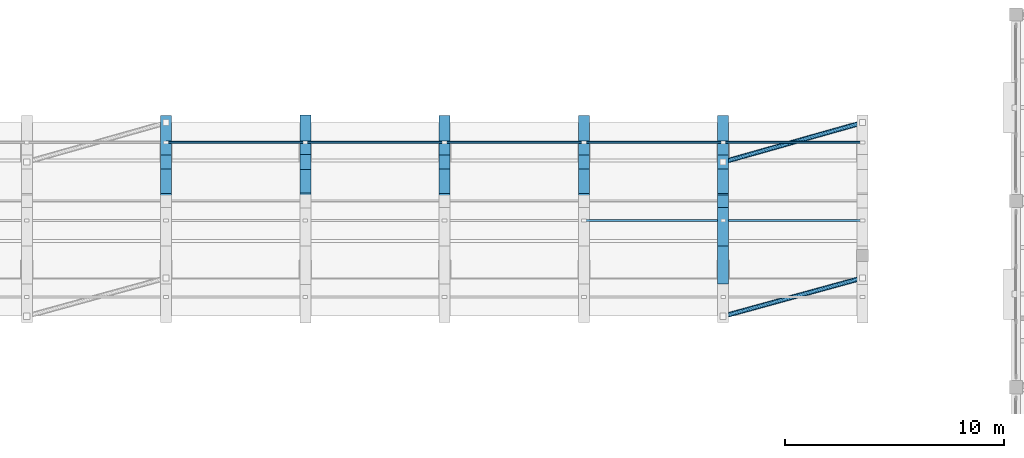
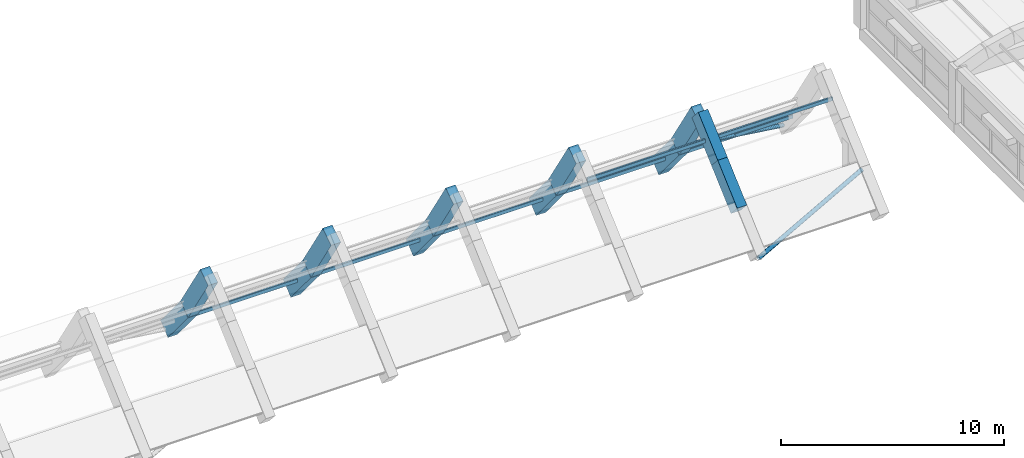
# One storey, part 7 of 40: 21 members.
"""IFC4 building model written with IfcOpenShell, lengths in metres."""

import ifcopenshell
import ifcopenshell.guid

model = None  # the IFC model being written
_history = None  # IfcOwnerHistory: only IFC2X3 demands one
_inside = {}  # id of a spatial element -> (the spatial element, [elements in it])
_under = {}  # id of a project, library or spatial element -> (it, [spatial elements below it])
_declared = {}  # id of a project -> (the project, [libraries it declares])
_typed = {}  # id of a type object -> (the type object, [elements of that type])
_made_of = {}  # id of a material, layer set ... -> (it, [elements and type objects made of it])


def new_model(schema):
    """Start an empty IFC model of exactly this schema.

    Asked for "IFC4X3", IfcOpenShell would pick the latest addendum, in which some entities
    have other attributes; the version numbers below select the first issue.
    IFC2X3 requires an IfcOwnerHistory on every rooted entity: one is made here for all.
    """
    global model, _history
    if schema == "IFC4X3":
        model = ifcopenshell.file(schema_version=(4, 3, 0, 0))
    else:
        model = ifcopenshell.file(schema=schema)
    _inside.clear()
    _under.clear()
    _declared.clear()
    _typed.clear()
    _made_of.clear()
    _history = None
    if model.schema == "IFC2X3":
        org = make("IfcOrganization", Name="unknown")
        user = make(
            "IfcPersonAndOrganization",
            ThePerson=make("IfcPerson", FamilyName="unknown"),
            TheOrganization=org,
        )
        app = make(
            "IfcApplication",
            ApplicationDeveloper=org,
            Version="unknown",
            ApplicationFullName="unknown",
            ApplicationIdentifier="unknown",
        )
        _history = make(
            "IfcOwnerHistory",
            OwningUser=user,
            OwningApplication=app,
            ChangeAction="ADDED",
            CreationDate=0,
        )
    return model


def make(cls, **values):
    """One entity of the class cls with the attributes given. An attribute that is None is left unset."""
    return model.create_entity(
        cls, **{name: value for name, value in values.items() if value is not None}
    )


def rooted(cls, **values):
    """An entity with a GlobalId (a new one), such as an element, a storey or a relation."""
    return make(cls, GlobalId=ifcopenshell.guid.new(), OwnerHistory=_history, **values)


def si_unit(unit_type, name, prefix=None):
    """IfcSIUnit, for example si_unit("LENGTHUNIT", "METRE", prefix="MILLI")."""
    return make("IfcSIUnit", UnitType=unit_type, Prefix=prefix, Name=name)


def assignment(units):
    """IfcUnitAssignment: the units of a project."""
    return None if units is None else make("IfcUnitAssignment", Units=units)


def point(xyz):
    """IfcCartesianPoint."""
    return None if xyz is None else make("IfcCartesianPoint", Coordinates=xyz)


def direction(xyz):
    """IfcDirection."""
    return None if xyz is None else make("IfcDirection", DirectionRatios=xyz)


def frame(location, z_axis=None, x_axis=None):
    """IfcAxis2Placement3D, a coordinate frame: its origin and axes. An axis left out is left unset."""
    return make(
        "IfcAxis2Placement3D",
        Location=point(location),
        Axis=direction(z_axis),
        RefDirection=direction(x_axis),
    )


def frame_2d(location, x_axis=None):
    """IfcAxis2Placement2D, a coordinate frame in the plane: its origin and x axis."""
    return make(
        "IfcAxis2Placement2D", Location=point(location), RefDirection=direction(x_axis)
    )


def origin():
    """The frame at (0, 0, 0) with its axes left unset."""
    return frame((0.0, 0.0, 0.0))


def origin_2d():
    """The frame at (0, 0) in the plane with its x axis left unset."""
    return frame_2d((0.0, 0.0))


def place(relative_to, where):
    """IfcLocalPlacement: puts the frame where relative to a parent placement (None: the world)."""
    return make(
        "IfcLocalPlacement", PlacementRelTo=relative_to, RelativePlacement=where
    )


def context(
    kind, dimensions, precision=None, world=None, true_north=None, identifier=None
):
    """IfcGeometricRepresentationContext, for example the 3D "Model" context."""
    return make(
        "IfcGeometricRepresentationContext",
        ContextIdentifier=identifier,
        ContextType=kind,
        CoordinateSpaceDimension=dimensions,
        Precision=precision,
        WorldCoordinateSystem=world,
        TrueNorth=true_north,
    )


def subcontext(parent, identifier, kind, view, scale=None):
    """IfcGeometricRepresentationSubContext, for example "Body" below "Model"."""
    return make(
        "IfcGeometricRepresentationSubContext",
        ContextIdentifier=identifier,
        ContextType=kind,
        ParentContext=parent,
        TargetScale=scale,
        TargetView=view,
    )


def project(units=None, contexts=None):
    """IfcProject with its units and contexts."""
    return rooted(
        "IfcProject",
        Name="project",
        RepresentationContexts=contexts,
        UnitsInContext=assignment(units),
    )


def spatial(cls, under=None, at=None, **own):
    """A site, building, storey or space (cls), placed at a placement, below another one or the project."""
    s = rooted(cls, ObjectPlacement=at, **own)
    if under is not None:
        _under.setdefault(under.id(), (under, []))[1].append(s)
    return s


def profile(cls, at=None, kind="AREA", **sizes):
    """A parametric profile (cls). Its sizes go by their IFC names, for example OverallWidth=200.0."""
    return make(cls, ProfileType=kind, Position=at, **sizes)


def rectangle(**sizes):
    """IfcRectangleProfileDef."""
    return profile("IfcRectangleProfileDef", **sizes)


def hollow_rectangle(**sizes):
    """IfcRectangleHollowProfileDef."""
    return profile("IfcRectangleHollowProfileDef", **sizes)


def hollow_circle(**sizes):
    """IfcCircleHollowProfileDef."""
    return profile("IfcCircleHollowProfileDef", **sizes)


def extrude(swept, where, along, depth):
    """IfcExtrudedAreaSolid: the profile swept, set in the frame where, extruded along a direction by depth."""
    return make(
        "IfcExtrudedAreaSolid",
        SweptArea=swept,
        Position=where,
        ExtrudedDirection=direction(along),
        Depth=depth,
    )


def shape(context_of_items, identifier, shape_type, items):
    """IfcShapeRepresentation: the items that make up one representation, for example the "Body"."""
    return make(
        "IfcShapeRepresentation",
        ContextOfItems=context_of_items,
        RepresentationIdentifier=identifier,
        RepresentationType=shape_type,
        Items=items,
    )


def material(Name=None, Category=None):
    """IfcMaterial."""
    return make("IfcMaterial", Name=Name, Category=Category)


def material_profile(
    of_material, cross_section, Name=None, Category=None, Priority=None
):
    """IfcMaterialProfile: a cross section and its material."""
    return make(
        "IfcMaterialProfile",
        Name=Name,
        Material=of_material,
        Profile=cross_section,
        Priority=Priority,
        Category=Category,
    )


def profile_set(profiles, Name=None, composite=None):
    """IfcMaterialProfileSet."""
    return make(
        "IfcMaterialProfileSet",
        Name=Name,
        MaterialProfiles=profiles,
        CompositeProfile=composite,
    )


def made_of(thing, what):
    """Note that an element or type object is made of a material, layer set ...; save() writes the relation."""
    if what is not None:
        _made_of.setdefault(what.id(), (what, []))[1].append(thing)
    return thing


def type_object(cls, material=None, **own):
    """A type object (cls), such as IfcWallType, which elements share."""
    return made_of(rooted(cls, **own), material)


def element(
    cls,
    number,
    at=None,
    inside=None,
    cuts=None,
    type_object=None,
    material=None,
    context=None,
    identifier="Body",
    shape_type=None,
    held_by="IfcProductDefinitionShape",
    body=None,
    shapes=None,
    **own,
):
    """One element of the class cls, such as IfcWall. Its Tag is "e" and its number.

    at: its placement. inside: the storey or other place that contains it. cuts: it is an
    opening in that element (IfcRelVoidsElement). A single representation is given by context,
    identifier, shape_type and body (its items); several are given by shapes. held_by: the class
    of the entity that holds the representations. save() writes the other relations.
    """
    e = rooted(cls, Tag="e%d" % number, ObjectPlacement=at, **own)
    if body is not None:
        shapes = [shape(context, identifier, shape_type, body)]
    if shapes is not None:
        e.Representation = make(held_by, Representations=shapes)
    if inside is not None:
        _inside.setdefault(inside.id(), (inside, []))[1].append(e)
    if cuts is not None:
        rooted(
            "IfcRelVoidsElement", RelatingBuildingElement=cuts, RelatedOpeningElement=e
        )
    if type_object is not None:
        _typed.setdefault(type_object.id(), (type_object, []))[1].append(e)
    return made_of(e, material)


def aggregate(whole, parts):
    """IfcRelAggregates: a whole, such as a stair, and the parts it consists of."""
    return rooted("IfcRelAggregates", RelatingObject=whole, RelatedObjects=parts)


def save(model, path):
    """Write the relations noted so far, then the file.

    IfcRelAggregates (storeys below a building ...), IfcRelContainedInSpatialStructure (elements
    in a storey), IfcRelDefinesByType, IfcRelAssociatesMaterial and IfcRelDeclares: one each for
    every whole, place, type object, material and project.
    """
    for whole, parts in _under.values():
        aggregate(whole, parts)
    for where, things in _inside.values():
        rooted(
            "IfcRelContainedInSpatialStructure",
            RelatedElements=things,
            RelatingStructure=where,
        )
    for kind, things in _typed.values():
        rooted("IfcRelDefinesByType", RelatedObjects=things, RelatingType=kind)
    for what, things in _made_of.values():
        rooted("IfcRelAssociatesMaterial", RelatedObjects=things, RelatingMaterial=what)
    for by, libraries in _declared.values():
        rooted("IfcRelDeclares", RelatingContext=by, RelatedDefinitions=libraries)
    model.write(path)


model = new_model("IFC4")

# Units and contexts
model_context = context("Model", 3, precision=1e-05, world=origin(), true_north=direction((0.0, 1.0)))
body_context = subcontext(model_context, "Body", "Model", "MODEL_VIEW")
ifc_project = project(units=[si_unit("LENGTHUNIT", "METRE"), si_unit("AREAUNIT", "SQUARE_METRE"), si_unit("VOLUMEUNIT", "CUBIC_METRE"), si_unit("PLANEANGLEUNIT", "RADIAN"), si_unit("MASSUNIT", "GRAM", prefix="KILO")], contexts=[model_context])

# Site, building, storey
site_placement = place(None, origin())
site = spatial("IfcSite", under=ifc_project, at=site_placement, CompositionType="ELEMENT")
building_placement = place(site_placement, origin())
building = spatial("IfcBuilding", under=site, at=building_placement, Name="Trellovar Central Fire Station", CompositionType="ELEMENT")
storey_placement = place(building_placement, frame((0.0, 0.0, 12.75)))
storey = spatial("IfcBuildingStorey", under=building, at=storey_placement, Name="L04", CompositionType="ELEMENT", Elevation=12.75)

# Members
ifc_material_1 = material(Name="Concrete C40/50", Category="concrete")
ifc_material_profile_1 = material_profile(ifc_material_1, rectangle(XDim=0.5, YDim=0.89990234375, at=origin_2d()), Name="RC500X900")
ifc_profile_set_1 = profile_set([ifc_material_profile_1], Name="Concrete C40/50")
member_type_1 = type_object("IfcMemberType", Name="MEM-AR1", PredefinedType="CHORD", material=ifc_profile_set_1)
member_1_placement = place(storey_placement, frame((73.10009765625, 24.47998046875, 5.0), z_axis=(0.0, 0.535294795788, -0.844665307445), x_axis=(-1.0, 0.0, 0.0)))
element("IfcMember", 1, at=member_1_placement, inside=storey, type_object=member_type_1, Name="Parabolic arch rib AR-07 chord 07", PredefinedType="CHORD", context=body_context, shape_type="SweptSolid", body=[
    extrude(rectangle(XDim=0.5, YDim=0.89990234375, at=origin_2d()), origin(), (0.0, 0.0, 1.0), 3.349853515625),
])
member_2_placement = place(storey_placement, frame((73.10009765625, 26.273193359375, 2.17041015625), z_axis=(0.0, 0.638268060752, -0.769814187076), x_axis=(-1.0, 0.0, 0.0)))
element("IfcMember", 2, at=member_2_placement, inside=storey, type_object=member_type_1, Name="Parabolic arch rib AR-07 chord 08", PredefinedType="CHORD", context=body_context, shape_type="SweptSolid", body=[
    extrude(rectangle(XDim=0.5, YDim=0.89990234375, at=origin_2d()), origin(), (0.0, 0.0, 1.0), 2.809814453125),
])
ifc_material_2 = material(Name="Concrete C40/50", Category="concrete")
ifc_material_profile_2 = material_profile(ifc_material_2, rectangle(XDim=0.5, YDim=0.85009765625, at=origin_2d()), Name="RC500X850")
ifc_profile_set_2 = profile_set([ifc_material_profile_2], Name="Concrete C40/50")
member_type_2 = type_object("IfcMemberType", Name="MEM-AR2", PredefinedType="CHORD", material=ifc_profile_set_2)
member_3_placement = place(storey_placement, frame((66.75, 24.47998046875, 5.0), z_axis=(0.0, 0.535294795788, -0.844665307445), x_axis=(-1.0, 0.0, 0.0)))
element("IfcMember", 3, at=member_3_placement, inside=storey, type_object=member_type_2, Name="Parabolic arch rib AR-06 chord 07", PredefinedType="CHORD", context=body_context, shape_type="SweptSolid", body=[
    extrude(rectangle(XDim=0.5, YDim=0.85009765625, at=origin_2d()), origin(), (0.0, 0.0, 1.0), 3.349853515625),
])
member_4_placement = place(storey_placement, frame((66.75, 26.273193359375, 2.17041015625), z_axis=(0.0, 0.638268060752, -0.769814187076), x_axis=(-1.0, 0.0, 0.0)))
element("IfcMember", 4, at=member_4_placement, inside=storey, type_object=member_type_2, Name="Parabolic arch rib AR-06 chord 08", PredefinedType="CHORD", context=body_context, shape_type="SweptSolid", body=[
    extrude(rectangle(XDim=0.5, YDim=0.85009765625, at=origin_2d()), origin(), (0.0, 0.0, 1.0), 2.809814453125),
])
member_5_placement = place(storey_placement, frame((79.449951171875, 24.47998046875, 5.0), z_axis=(0.0, 0.535294795788, -0.844665307445), x_axis=(-1.0, 0.0, 0.0)))
element("IfcMember", 5, at=member_5_placement, inside=storey, type_object=member_type_2, Name="Parabolic arch rib AR-08 chord 07", PredefinedType="CHORD", context=body_context, shape_type="SweptSolid", body=[
    extrude(rectangle(XDim=0.5, YDim=0.85009765625, at=origin_2d()), origin(), (0.0, 0.0, 1.0), 3.349853515625),
])
member_6_placement = place(storey_placement, frame((79.449951171875, 26.273193359375, 2.17041015625), z_axis=(0.0, 0.638268060752, -0.769814187076), x_axis=(-1.0, 0.0, 0.0)))
element("IfcMember", 6, at=member_6_placement, inside=storey, type_object=member_type_2, Name="Parabolic arch rib AR-08 chord 08", PredefinedType="CHORD", context=body_context, shape_type="SweptSolid", body=[
    extrude(rectangle(XDim=0.5, YDim=0.85009765625, at=origin_2d()), origin(), (0.0, 0.0, 1.0), 2.809814453125),
])
member_7_placement = place(storey_placement, frame((85.800048828125, 24.47998046875, 5.0), z_axis=(0.0, 0.535294795788, -0.844665307445), x_axis=(-1.0, 0.0, 0.0)))
element("IfcMember", 7, at=member_7_placement, inside=storey, type_object=member_type_2, Name="Parabolic arch rib AR-09 chord 07", PredefinedType="CHORD", context=body_context, shape_type="SweptSolid", body=[
    extrude(rectangle(XDim=0.5, YDim=0.85009765625, at=origin_2d()), origin(), (0.0, 0.0, 1.0), 3.349853515625),
])
member_8_placement = place(storey_placement, frame((85.800048828125, 26.273193359375, 2.17041015625), z_axis=(0.0, 0.638268060752, -0.769814187076), x_axis=(-1.0, 0.0, 0.0)))
element("IfcMember", 8, at=member_8_placement, inside=storey, type_object=member_type_2, Name="Parabolic arch rib AR-09 chord 08", PredefinedType="CHORD", context=body_context, shape_type="SweptSolid", body=[
    extrude(rectangle(XDim=0.5, YDim=0.85009765625, at=origin_2d()), origin(), (0.0, 0.0, 1.0), 2.809814453125),
])
for number, where, z_axis, x_axis, name in (
    (9, (92.14990234375, 20.98681640625, 1.86669921875), (0.0, 0.744410696022, 0.667722034718), (-1.0, 0.0, 0.0), "Parabolic arch rib AR-10 chord 05"),
    (10, (92.14990234375, 22.7333984375, 3.433349609375), (0.0, 0.744410696022, 0.667722034718), (-1.0, 0.0, 0.0), "Parabolic arch rib AR-10 chord 06"),
):
    element("IfcMember", number, at=place(storey_placement, frame(where, z_axis=z_axis, x_axis=x_axis)), inside=storey, type_object=member_type_2, Name=name, PredefinedType="CHORD", context=body_context, shape_type="SweptSolid", body=[
        extrude(rectangle(XDim=0.5, YDim=0.85009765625, at=origin_2d()), origin(), (0.0, 0.0, 1.0), 2.34619140625),
    ])
member_9_placement = place(storey_placement, frame((92.14990234375, 24.47998046875, 5.0), z_axis=(0.0, 0.535294795788, -0.844665307445), x_axis=(-1.0, 0.0, 0.0)))
element("IfcMember", 11, at=member_9_placement, inside=storey, type_object=member_type_2, Name="Parabolic arch rib AR-10 chord 07", PredefinedType="CHORD", context=body_context, shape_type="SweptSolid", body=[
    extrude(rectangle(XDim=0.5, YDim=0.85009765625, at=origin_2d()), origin(), (0.0, 0.0, 1.0), 3.349853515625),
])
member_10_placement = place(storey_placement, frame((92.14990234375, 26.273193359375, 2.17041015625), z_axis=(0.0, 0.638268060752, -0.769814187076), x_axis=(-1.0, 0.0, 0.0)))
element("IfcMember", 12, at=member_10_placement, inside=storey, type_object=member_type_2, Name="Parabolic arch rib AR-10 chord 08", PredefinedType="CHORD", context=body_context, shape_type="SweptSolid", body=[
    extrude(rectangle(XDim=0.5, YDim=0.85009765625, at=origin_2d()), origin(), (0.0, 0.0, 1.0), 2.809814453125),
])
ifc_material_3 = material(Name="Steel ASTM A500 Grade C", Category="steel")
ifc_material_profile_3 = material_profile(ifc_material_3, hollow_circle(Radius=0.109619140625, WallThickness=0.0087890625, at=origin_2d()), Name="HSS8.625X0.375")
ifc_profile_set_3 = profile_set([ifc_material_profile_3], Name="Steel ASTM A500 Grade C")
member_type_3 = type_object("IfcMemberType", Name="MEM-BR5", PredefinedType="BRACE", material=ifc_profile_set_3)
member_11_placement = place(storey_placement, frame((92.14990234375, 19.239990234375, 0.25), z_axis=(0.938010450858, 0.258034016758, 0.231419187357), x_axis=(-0.265234024919, 0.964184065428, 0.0)))
element("IfcMember", 13, at=member_11_placement, inside=storey, type_object=member_type_3, Name="Vault diagonal brace V1-10-04", PredefinedType="BRACE", context=body_context, shape_type="SweptSolid", body=[
    extrude(hollow_circle(Radius=0.109619140625, WallThickness=0.0087890625, at=origin_2d()), origin(), (0.0, 0.0, 1.0), 6.769775390625),
])
member_12_placement = place(storey_placement, frame((92.14990234375, 26.273193359375, 2.120361328125), z_axis=(0.914472274498, 0.258274253305, -0.311504204231), x_axis=(-0.271797604511, 0.96235443688, 0.0)))
element("IfcMember", 14, at=member_12_placement, inside=storey, type_object=member_type_3, Name="Vault diagonal brace V1-10-08", PredefinedType="BRACE", context=body_context, shape_type="SweptSolid", body=[
    extrude(hollow_circle(Radius=0.109619140625, WallThickness=0.0087890625, at=origin_2d()), origin(), (0.0, 0.0, 1.0), 6.944091796875),
])
ifc_material_4 = material(Name="Steel ASTM A500 Grade C", Category="steel")
ifc_material_profile_4 = material_profile(ifc_material_4, hollow_rectangle(XDim=0.1015625, YDim=0.203125, WallThickness=0.0087890625, InnerFilletRadius=0.0087890625, OuterFilletRadius=0.017822265625, at=origin_2d()), Name="HSS8X4X3/8")
ifc_profile_set_4 = profile_set([ifc_material_profile_4], Name="Steel ASTM A500 Grade C")
member_type_4 = type_object("IfcMemberType", Name="MEM-PU1", PredefinedType="PURLIN", material=ifc_profile_set_4)
member_13_placement = place(storey_placement, frame((66.75, 27.169921875, 0.998779296875), z_axis=(1.0, 0.0, 0.0), x_axis=(0.0, 1.0, 0.0)))
element("IfcMember", 15, at=member_13_placement, inside=storey, type_object=member_type_4, Name="Vault purlin V1-06-08", PredefinedType="PURLIN", context=body_context, shape_type="SweptSolid", body=[
    extrude(hollow_rectangle(XDim=0.1015625, YDim=0.203125, WallThickness=0.0087890625, InnerFilletRadius=0.0087890625, OuterFilletRadius=0.017822265625, at=origin_2d()), origin(), (0.0, 0.0, 1.0), 6.35009765625),
])
member_14_placement = place(storey_placement, frame((73.10009765625, 27.169921875, 0.998779296875), z_axis=(1.0, 0.0, 0.0), x_axis=(0.0, 1.0, 0.0)))
element("IfcMember", 16, at=member_14_placement, inside=storey, type_object=member_type_4, Name="Vault purlin V1-07-08", PredefinedType="PURLIN", context=body_context, shape_type="SweptSolid", body=[
    extrude(hollow_rectangle(XDim=0.1015625, YDim=0.203125, WallThickness=0.0087890625, InnerFilletRadius=0.0087890625, OuterFilletRadius=0.017822265625, at=origin_2d()), origin(), (0.0, 0.0, 1.0), 6.349853515625),
])
member_15_placement = place(storey_placement, frame((79.449951171875, 27.169921875, 0.998779296875), z_axis=(1.0, 0.0, 0.0), x_axis=(0.0, 1.0, 0.0)))
element("IfcMember", 17, at=member_15_placement, inside=storey, type_object=member_type_4, Name="Vault purlin V1-08-08", PredefinedType="PURLIN", context=body_context, shape_type="SweptSolid", body=[
    extrude(hollow_rectangle(XDim=0.1015625, YDim=0.203125, WallThickness=0.0087890625, InnerFilletRadius=0.0087890625, OuterFilletRadius=0.017822265625, at=origin_2d()), origin(), (0.0, 0.0, 1.0), 6.35009765625),
])
for number, where, z_axis, x_axis, name in (
    (18, (85.800048828125, 23.606689453125, 4.126708984375), (1.0, 0.0, 0.0), (0.0, 1.0, 0.0), "Vault purlin V1-09-06"),
    (19, (85.800048828125, 27.169921875, 0.998779296875), (1.0, 0.0, 0.0), (0.0, 1.0, 0.0), "Vault purlin V1-09-08"),
):
    element("IfcMember", number, at=place(storey_placement, frame(where, z_axis=z_axis, x_axis=x_axis)), inside=storey, type_object=member_type_4, Name=name, PredefinedType="PURLIN", context=body_context, shape_type="SweptSolid", body=[
        extrude(hollow_rectangle(XDim=0.1015625, YDim=0.203125, WallThickness=0.0087890625, InnerFilletRadius=0.0087890625, OuterFilletRadius=0.017822265625, at=origin_2d()), origin(), (0.0, 0.0, 1.0), 6.349853515625),
    ])
for number, where, z_axis, x_axis, name in (
    (20, (92.14990234375, 23.606689453125, 4.126708984375), (1.0, 0.0, 0.0), (0.0, 1.0, 0.0), "Vault purlin V1-10-06"),
    (21, (92.14990234375, 27.169921875, 0.998779296875), (1.0, 0.0, 0.0), (0.0, 1.0, 0.0), "Vault purlin V1-10-08"),
):
    element("IfcMember", number, at=place(storey_placement, frame(where, z_axis=z_axis, x_axis=x_axis)), inside=storey, type_object=member_type_4, Name=name, PredefinedType="PURLIN", context=body_context, shape_type="SweptSolid", body=[
        extrude(hollow_rectangle(XDim=0.1015625, YDim=0.203125, WallThickness=0.0087890625, InnerFilletRadius=0.0087890625, OuterFilletRadius=0.017822265625, at=origin_2d()), origin(), (0.0, 0.0, 1.0), 6.35009765625),
    ])

save(model, "model.ifc")
